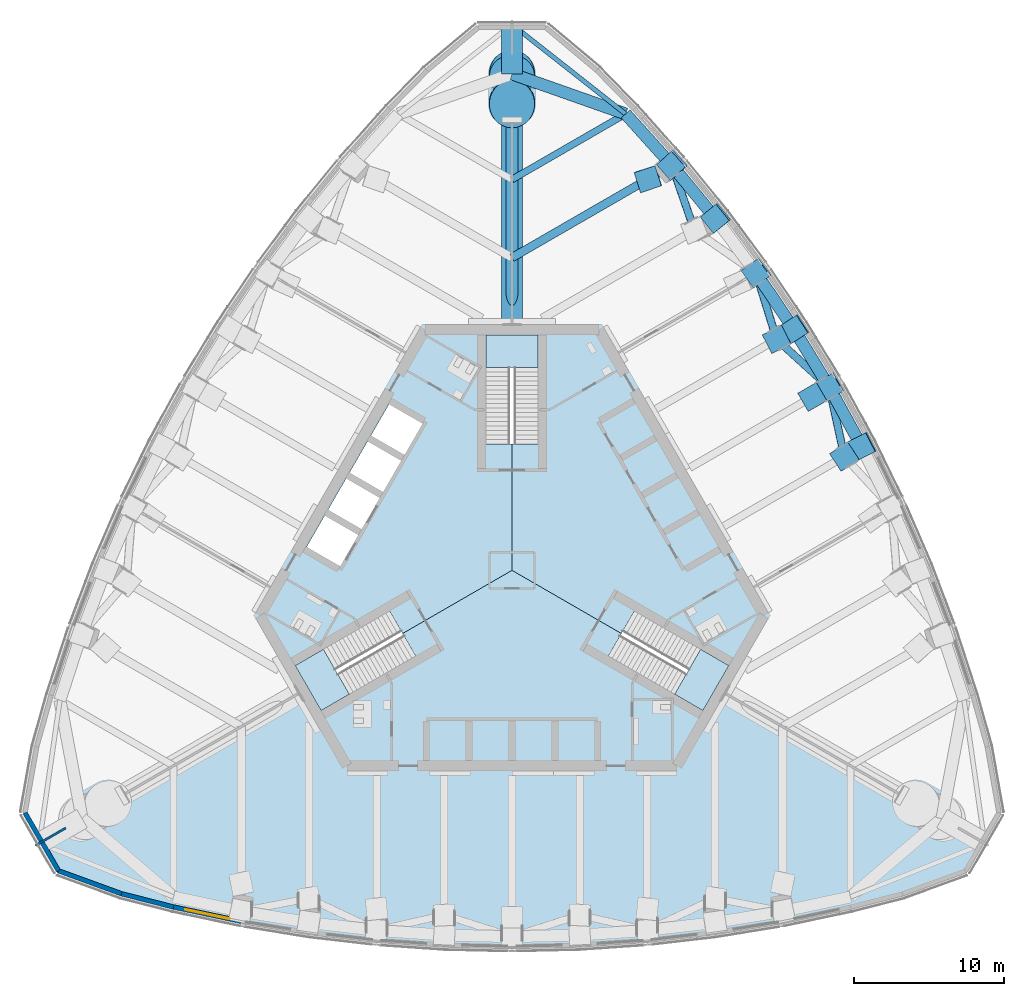
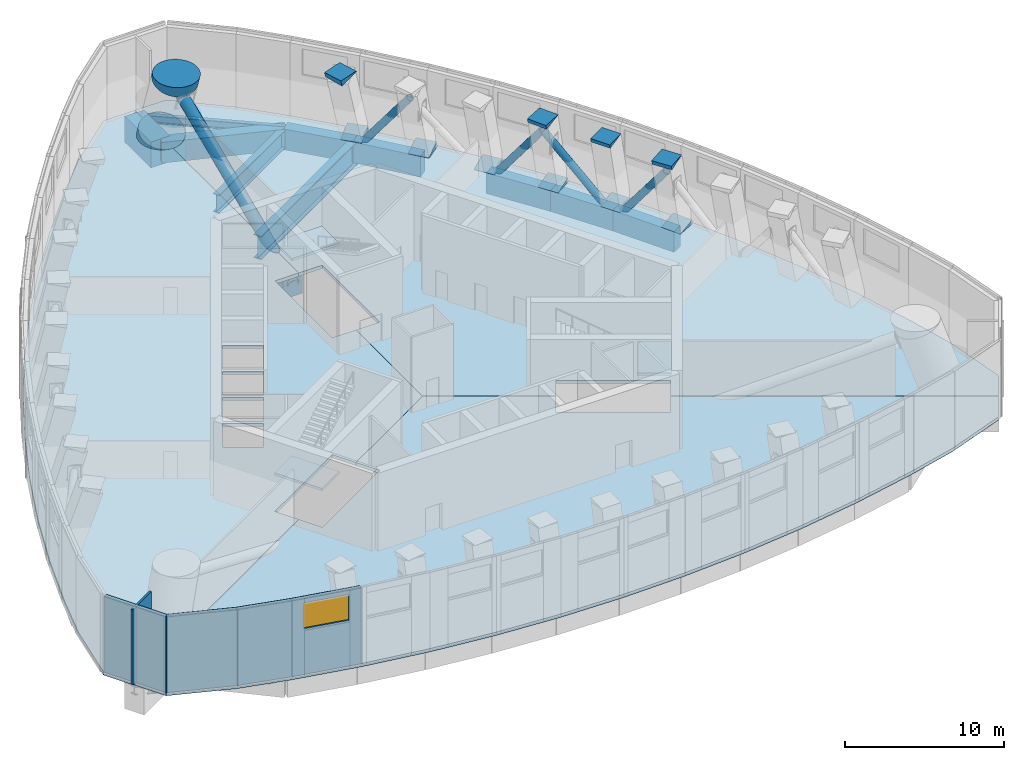
# One storey, part 5 of 22: 17 members, 11 beams, 6 slabs, 5 walls, 1 window, 1 opening, 3 elements without a shape of their own.
"""IFC4 building model written with IfcOpenShell, lengths in metres."""

from ifc_helpers import new_model, si_unit, direction, frame, frame_2d, origin, origin_2d, place, context, subcontext, project, spatial, polyline, rectangle, circle, hollow_circle, i_section, outline, extrude, clip, halfspace, material, layer, layer_set, material_profile, profile_set, type_object, element, fill, aggregate, save


model = new_model("IFC4")

# Units and contexts
model_context = context("Model", 3, precision=1e-05, world=origin(), true_north=direction((0.0, 1.0)))
body_context = subcontext(model_context, "Body", "Model", "MODEL_VIEW")
ifc_project = project(units=[si_unit("LENGTHUNIT", "METRE"), si_unit("AREAUNIT", "SQUARE_METRE"), si_unit("VOLUMEUNIT", "CUBIC_METRE"), si_unit("PLANEANGLEUNIT", "RADIAN"), si_unit("MASSUNIT", "GRAM", prefix="KILO")], contexts=[model_context])

# Site, building, storey
site_placement = place(None, origin())
site = spatial("IfcSite", under=ifc_project, at=site_placement, CompositionType="ELEMENT")
building_placement = place(site_placement, origin())
building = spatial("IfcBuilding", under=site, at=building_placement, Name="Trefoil Bronze Tower", CompositionType="ELEMENT")
storey_placement = place(building_placement, frame((0.0, 0.0, 265.300048828125)))
storey = spatial("IfcBuildingStorey", under=building, at=storey_placement, Name="L61", CompositionType="ELEMENT", Elevation=265.300048828125)

# Members
ifc_material_1 = material(Name="Steel C355", Category="steel")
ifc_material_profile_1 = material_profile(ifc_material_1, hollow_circle(Radius=0.25390625, WallThickness=0.02001953125, at=origin_2d()), Name="CHS 508x20")
ifc_profile_set_1 = profile_set([ifc_material_profile_1], Name="Steel C355")
member_type_1 = type_object("IfcMemberType", Name="Belt truss diagonal CHS 508x20", PredefinedType="BRACE", material=ifc_profile_set_1)
for number, where, z_axis, x_axis, name in (
    (1, (21.08837890625, 12.17529296875, -1.050048828125), (0.131012143103, -0.601307250634, 0.788203913143), (0.977077368956, 0.21288451112, 0.0), "Belt truss diagonal F2.4 L61"),
    (2, (21.08837890625, 12.17529296875, -1.050048828125), (-0.455246541838, 0.414120727641, 0.788197062341), (-0.672904279317, -0.739729566042, 0.0), "Belt truss diagonal F2.5 L61"),
):
    element("IfcMember", number, at=place(storey_placement, frame(where, z_axis=z_axis, x_axis=x_axis)), inside=storey, type_object=member_type_1, Name=name, PredefinedType="BRACE", context=body_context, shape_type="SweptSolid", body=[
        extrude(hollow_circle(Radius=0.25390625, WallThickness=0.02001953125, at=origin_2d()), origin(), (0.0, 0.0, 1.0), 7.67578125),
    ])
member_1_placement = place(storey_placement, frame((16.2265625, 19.7607421875, -1.050048828125), z_axis=(0.179719504995, -0.579171052518, 0.795148911493), x_axis=(0.95507498271, 0.296364264718, 0.0)))
element("IfcMember", 3, at=member_1_placement, inside=storey, type_object=member_type_1, Name="Belt truss diagonal F2.6 L61", PredefinedType="BRACE", context=body_context, shape_type="SweptSolid", body=[
    extrude(hollow_circle(Radius=0.25390625, WallThickness=0.02001953125, at=origin_2d()), origin(), (0.0, 0.0, 1.0), 7.608642578125),
])
member_2_placement = place(storey_placement, frame((10.632080078125, 26.923095703125, -1.050048828125), z_axis=(0.197572328116, -0.570553628102, 0.797140974121), x_axis=(0.944948696963, 0.327218520423, 0.0)))
element("IfcMember", 4, at=member_2_placement, inside=storey, type_object=member_type_1, Name="Belt truss diagonal F2.8 L61", PredefinedType="BRACE", context=body_context, shape_type="SweptSolid", body=[
    extrude(hollow_circle(Radius=0.25390625, WallThickness=0.02001953125, at=origin_2d()), origin(), (0.0, 0.0, 1.0), 7.589599609375),
])
ifc_material_2 = material(Name="Concrete B80", Category="concrete")
ifc_material_profile_2 = material_profile(ifc_material_2, rectangle(XDim=1.39990234375, YDim=1.39990234375, at=origin_2d()), Name="RC 1400x1400")
ifc_profile_set_2 = profile_set([ifc_material_profile_2], Name="Concrete B80")
member_type_2 = type_object("IfcMemberType", Name="Column node RC 1400x1400", PredefinedType="MEMBER", material=ifc_profile_set_2)
member_3_placement = place(storey_placement, frame((21.1162109375, 12.19140625, -0.149169921875), z_axis=(-0.183161964872, -0.105578075822, 0.977397035257), x_axis=(-0.499394896141, 0.866374478911, 0.0)))
element("IfcMember", 5, at=member_3_placement, inside=storey, type_object=member_type_2, Name="Column node TC1414 L61 bottom", PredefinedType="MEMBER", context=body_context, shape_type="Clipping", body=[
    clip(extrude(rectangle(XDim=1.39990234375, YDim=1.39990234375, at=origin_2d()), origin(), (0.0, 0.0, 1.0), 0.30517578125), halfspace(frame((0.0, 0.0, 0.152587890625), z_axis=(2.5890503410063688e-17, -0.21141200408223554, 0.9773970352573886), x_axis=(0.0, 0.9773970352573886, 0.21141200408223554)), True)),
])
member_4_placement = place(storey_placement, frame((19.935302734375, 11.509765625, 6.149169921875), z_axis=(0.183161964872, 0.105578075822, -0.977397035257), x_axis=(0.499394896141, -0.866374478911, 0.0)))
element("IfcMember", 6, at=member_4_placement, inside=storey, type_object=member_type_2, Name="Column node TC1414 L61 top", PredefinedType="MEMBER", context=body_context, shape_type="Clipping", body=[
    clip(extrude(rectangle(XDim=1.39990234375, YDim=1.39990234375, at=origin_2d()), origin(), (0.0, 0.0, 1.0), 0.30517578125), halfspace(frame((0.0, 0.0, 0.152587890625), z_axis=(-2.5890503410063688e-17, 0.2114120040822355, 0.9773970352573886), x_axis=(0.0, 0.9773970352573886, -0.2114120040822355)), True)),
])
member_5_placement = place(storey_placement, frame((18.77880859375, 16.0380859375, -0.160400390625), z_axis=(-0.187953705377, -0.108463403103, 0.976170627925), x_axis=(-0.54310473466, 0.839589154073, -0.011282710331)))
element("IfcMember", 7, at=member_5_placement, inside=storey, type_object=member_type_2, Name="Column node TC1414 L61 bottom", PredefinedType="MEMBER", context=body_context, shape_type="Clipping", body=[
    clip(extrude(rectangle(XDim=1.39990234375, YDim=1.39990234375, at=origin_2d()), origin(), (0.0, 0.0, 1.0), 0.32861328125), halfspace(frame((0.0, 0.0, 0.164306640625), z_axis=(-0.01128271033060312, -0.21671088026453342, 0.9761706279245278), x_axis=(0.0, 0.976232766899291, 0.21672467518064178)), True)),
])
member_6_placement = place(storey_placement, frame((17.563232421875, 15.336181640625, 6.160400390625), z_axis=(0.187236899546, 0.108478521165, -0.976306690489), x_axis=(0.456706853396, -0.889546102604, -0.011250840125)))
element("IfcMember", 8, at=member_6_placement, inside=storey, type_object=member_type_2, Name="Column node TC1414 L61 top", PredefinedType="MEMBER", context=body_context, shape_type="Clipping", body=[
    clip(extrude(rectangle(XDim=1.39990234375, YDim=1.39990234375, at=origin_2d()), origin(), (0.0, 0.0, 1.0), 0.32861328125), halfspace(frame((0.0, 0.0, 0.164306640625), z_axis=(0.011250840125173118, 0.2160987383172024, 0.9763066904893108), x_axis=(0.0, 0.9763684874917113, -0.21611241665658143)), True)),
])
member_7_placement = place(storey_placement, frame((16.263671875, 19.7822265625, -0.1796875), z_axis=(-0.200881135237, -0.116299604611, 0.9726876022), x_axis=(-0.585578405477, 0.810258751499, -0.02405590693)))
element("IfcMember", 9, at=member_7_placement, inside=storey, type_object=member_type_2, Name="Column node TC1414 L61 bottom", PredefinedType="MEMBER", context=body_context, shape_type="Clipping", body=[
    clip(extrude(rectangle(XDim=1.39990234375, YDim=1.39990234375, at=origin_2d()), origin(), (0.0, 0.0, 1.0), 0.369384765625), halfspace(frame((0.0, 0.0, 0.1845703125), z_axis=(-0.02405590693003195, -0.23086823486241995, 0.9726876021998452), x_axis=(0.0, 0.972969165077258, 0.2309350640523511)), True)),
])
member_8_placement = place(storey_placement, frame((13.5703125, 23.42333984375, -0.207763671875), z_axis=(-0.22363186547, -0.129411333318, 0.966044251344), x_axis=(-0.624037309849, 0.780374112992, -0.039920917931)))
element("IfcMember", 10, at=member_8_placement, inside=storey, type_object=member_type_2, Name="Column node TC1414 L61 bottom", PredefinedType="MEMBER", context=body_context, shape_type="Clipping", body=[
    clip(extrude(rectangle(XDim=1.39990234375, YDim=1.39990234375, at=origin_2d()), origin(), (0.0, 0.0, 1.0), 0.43017578125), halfspace(frame((0.0, 0.0, 0.215087890625), z_axis=(-0.03992091793084701, -0.25527401896023777, 0.9660442513443402), x_axis=(0.0, 0.9668149552088507, 0.25547767492387297)), True)),
])
member_9_placement = place(storey_placement, frame((10.697509765625, 26.9609375, -0.245361328125), z_axis=(-0.255275023325, -0.147840842186, 0.955498690657), x_axis=(-0.659385563875, 0.749389731889, -0.060213851335)))
element("IfcMember", 11, at=member_9_placement, inside=storey, type_object=member_type_2, Name="Column node TC1414 L61 bottom", PredefinedType="MEMBER", context=body_context, shape_type="Clipping", body=[
    clip(extrude(rectangle(XDim=1.39990234375, YDim=1.39990234375, at=origin_2d()), origin(), (0.0, 0.0, 1.0), 0.513671875), halfspace(frame((0.0, 0.0, 0.2568359375), z_axis=(-0.060213851335041084, -0.2887845983761713, 0.9554986906574572), x_axis=(0.0, 0.9572355947894147, 0.28930955059962243)), True)),
])
member_10_placement = place(storey_placement, frame((8.961669921875, 25.958740234375, 6.245361328125), z_axis=(0.25573727753, 0.147357910844, -0.95544967999), x_axis=(0.319766783244, -0.945578973068, -0.060246244908)))
element("IfcMember", 12, at=member_10_placement, inside=storey, type_object=member_type_2, Name="Column node TC1414 L61 top", PredefinedType="MEMBER", context=body_context, shape_type="Clipping", body=[
    clip(extrude(rectangle(XDim=1.39990234375, YDim=1.39990234375, at=origin_2d()), origin(), (0.0, 0.0, 1.0), 0.513671875), halfspace(frame((0.0, 0.0, 0.2568359375), z_axis=(0.06024624490829453, 0.288939957397967, 0.9554496799901662), x_axis=(0.0, 0.9571883693663649, -0.2894657588554465)), True)),
])
member_11_placement = place(storey_placement, frame((23.27880859375, 8.243896484375, -0.160400390625), z_axis=(-0.187953705377, -0.108463403103, 0.976170627925), x_axis=(-0.455185677228, 0.890325052829, 0.011282710331)))
element("IfcMember", 13, at=member_11_placement, inside=storey, type_object=member_type_2, Name="Column node TC1414 L61 bottom", PredefinedType="MEMBER", context=body_context, shape_type="Clipping", body=[
    clip(extrude(rectangle(XDim=1.39990234375, YDim=1.39990234375, at=origin_2d()), origin(), (0.0, 0.0, 1.0), 0.32861328125), halfspace(frame((0.0, 0.0, 0.164306640625), z_axis=(0.01128271033060312, -0.2167108802645334, 0.9761706279245278), x_axis=(0.0, 0.976232766899291, 0.21672467518064176)), True)),
])
member_12_placement = place(storey_placement, frame((22.063232421875, 7.5419921875, 6.160400390625), z_axis=(0.187236899546, 0.108478521165, -0.976306690489), x_axis=(0.544550951226, -0.838652299893, 0.011250840125)))
element("IfcMember", 14, at=member_12_placement, inside=storey, type_object=member_type_2, Name="Column node TC1414 L61 top", PredefinedType="MEMBER", context=body_context, shape_type="Clipping", body=[
    clip(extrude(rectangle(XDim=1.39990234375, YDim=1.39990234375, at=origin_2d()), origin(), (0.0, 0.0, 1.0), 0.32861328125), halfspace(frame((0.0, 0.0, 0.164306640625), z_axis=(-0.011250840125173118, 0.2160987383172024, 0.9763066904893108), x_axis=(0.0, 0.9763684874917113, -0.21611241665658143)), True)),
])
ifc_material_3 = material(Name="Concrete B80", Category="concrete")
ifc_material_profile_3 = material_profile(ifc_material_3, circle(Radius=1.5, at=origin_2d()), Name="RC D3000")
ifc_profile_set_3 = profile_set([ifc_material_profile_3], Name="Concrete B80")
member_type_3 = type_object("IfcMemberType", Name="Column node RC D3000", PredefinedType="MEMBER", material=ifc_profile_set_3)
member_13_placement = place(storey_placement, frame((0.0, 33.158447265625, -0.475341796875), z_axis=(0.0, -0.316227766017, 0.948683298051), x_axis=(1.0, 0.0, 0.0)))
element("IfcMember", 15, at=member_13_placement, inside=storey, type_object=member_type_3, Name="Column node MC30 L61 bottom", PredefinedType="MEMBER", context=body_context, shape_type="Clipping", body=[
    clip(extrude(circle(Radius=1.5, at=origin_2d()), origin(), (0.0, 0.0, 1.0), 1.002197265625), halfspace(frame((0.0, 0.0, 0.5009765625), z_axis=(0.0, 0.316227766016838, 0.9486832980505139), x_axis=(0.0, 0.9486832980505139, -0.316227766016838)), True)),
])
member_14_placement = place(storey_placement, frame((0.0, 30.841552734375, 6.475341796875), z_axis=(0.0, 0.316227766017, -0.948683298051), x_axis=(-1.0, 0.0, 0.0)))
element("IfcMember", 16, at=member_14_placement, inside=storey, type_object=member_type_3, Name="Column node MC30 L61 top", PredefinedType="MEMBER", context=body_context, shape_type="Clipping", body=[
    clip(extrude(circle(Radius=1.5, at=origin_2d()), origin(), (0.0, 0.0, 1.0), 1.002197265625), halfspace(frame((0.0, 0.0, 0.501220703125), z_axis=(0.0, -0.316227766016838, 0.9486832980505139), x_axis=(0.0, 0.9486832980505139, 0.316227766016838)), True)),
])

# Beams
ifc_material_4 = material(Name="Concrete B80", Category="concrete")
ifc_material_profile_4 = material_profile(ifc_material_4, rectangle(XDim=1.39990234375, YDim=2.0, at=origin_2d()), Name="RC 1400x2000")
ifc_profile_set_4 = profile_set([ifc_material_profile_4], Name="Concrete B80")
beam_type_1 = type_object("IfcBeamType", Name="Corner cantilever RC 1400x2000", PredefinedType="BEAM", material=ifc_profile_set_4)
beam_1_placement = place(storey_placement, frame((0.0, 33.0, -1.25), z_axis=(0.0, 1.0, 0.0), x_axis=(-1.0, 0.0, 0.0)))
element("IfcBeam", 17, at=beam_1_placement, inside=storey, type_object=beam_type_1, Name="Corner cantilever K2 L61", PredefinedType="BEAM", context=body_context, shape_type="SweptSolid", body=[
    extrude(rectangle(XDim=1.39990234375, YDim=2.0, at=origin_2d()), origin(), (0.0, 0.0, 1.0), 3.28466796875),
])
ifc_material_5 = material(Name="Steel C355", Category="steel")
ifc_material_profile_5 = material_profile(ifc_material_5, i_section(OverallWidth=0.300048828125, OverallDepth=0.60009765625, WebThickness=0.015380859375, FlangeThickness=0.030029296875, FilletRadius=0.027099609375, at=origin_2d()), Name="HEB 600")
ifc_profile_set_5 = profile_set([ifc_material_profile_5], Name="Steel C355")
beam_type_2 = type_object("IfcBeamType", Name="Corner edge beam HEB 600", PredefinedType="BEAM", material=ifc_profile_set_5)
beam_2_placement = place(storey_placement, frame((7.552001953125, 30.3408203125, -0.550048828125), z_axis=(-0.785805912008, 0.618473175371, 0.0), x_axis=(-0.618473175371, -0.785805912008, 0.0)))
element("IfcBeam", 18, at=beam_2_placement, inside=storey, type_object=beam_type_2, Name="Corner edge beam F2A L61", PredefinedType="BEAM", context=body_context, shape_type="SweptSolid", body=[
    extrude(i_section(OverallWidth=0.300048828125, OverallDepth=0.60009765625, WebThickness=0.015380859375, FlangeThickness=0.030029296875, FilletRadius=0.027099609375, at=origin_2d()), origin(), (0.0, 0.0, 1.0), 9.610595703125),
])
ifc_material_6 = material(Name="Concrete B80", Category="concrete")
ifc_material_profile_6 = material_profile(ifc_material_6, rectangle(XDim=1.39990234375, YDim=2.0, at=origin_2d()), Name="RC 1400x2000")
ifc_profile_set_6 = profile_set([ifc_material_profile_6], Name="Concrete B80")
beam_type_3 = type_object("IfcBeamType", Name="Corner girder RC 1400x2000", PredefinedType="BEAM", material=ifc_profile_set_6)
beam_3_placement = place(storey_placement, frame((0.0, 16.35009765625, -1.25), z_axis=(0.0, 1.0, 0.0), x_axis=(-1.0, 0.0, 0.0)))
element("IfcBeam", 19, at=beam_3_placement, inside=storey, type_object=beam_type_3, Name="Corner girder K2 L61", PredefinedType="BEAM", context=body_context, shape_type="SweptSolid", body=[
    extrude(rectangle(XDim=1.39990234375, YDim=2.0, at=origin_2d()), origin(), (0.0, 0.0, 1.0), 16.64990234375),
])
ifc_material_7 = material(Name="Concrete B80", Category="concrete")
ifc_material_profile_7 = material_profile(ifc_material_7, rectangle(XDim=0.800048828125, YDim=1.60009765625, at=origin_2d()), Name="RC 800x1600")
ifc_profile_set_7 = profile_set([ifc_material_profile_7], Name="Concrete B80")
beam_type_4 = type_object("IfcBeamType", Name="End spandrel beam RC 800x1600", PredefinedType="SPANDREL", material=ifc_profile_set_7)
beam_4_placement = place(storey_placement, frame((7.552001953125, 30.3408203125, -1.050048828125), z_axis=(-0.943234397359, 0.332127794137, 0.0), x_axis=(-0.332127794137, -0.943234397359, 0.0)))
element("IfcBeam", 20, at=beam_4_placement, inside=storey, type_object=beam_type_4, Name="Spandrel F2.12 L61", PredefinedType="SPANDREL", context=body_context, shape_type="SweptSolid", body=[
    extrude(rectangle(XDim=0.800048828125, YDim=1.60009765625, at=origin_2d()), origin(), (0.0, 0.0, 1.0), 8.006591796875),
])
ifc_material_8 = material(Name="Steel C355", Category="steel")
ifc_material_profile_8 = material_profile(ifc_material_8, i_section(OverallWidth=0.449951171875, OverallDepth=1.39990234375, WebThickness=0.02294921875, FlangeThickness=0.044921875, FilletRadius=0.011962890625, at=origin_2d()), Name="WPG 1400")
ifc_profile_set_8 = profile_set([ifc_material_profile_8], Name="Steel C355")
beam_type_5 = type_object("IfcBeamType", Name="Floor beam WPG 1400", PredefinedType="BEAM", material=ifc_profile_set_8)
beam_5_placement = place(storey_placement, frame((7.552001953125, 30.3408203125, -0.949951171875), z_axis=(-0.866027535932, -0.499996306993, 0.0), x_axis=(0.499996306993, -0.866027535932, 0.0)))
element("IfcBeam", 21, at=beam_5_placement, inside=storey, type_object=beam_type_5, Name="Floor beam F2/+5 L61", PredefinedType="BEAM", context=body_context, shape_type="SweptSolid", body=[
    extrude(i_section(OverallWidth=0.449951171875, OverallDepth=1.39990234375, WebThickness=0.02294921875, FlangeThickness=0.044921875, FilletRadius=0.011962890625, at=origin_2d()), origin(), (0.0, 0.0, 1.0), 8.72021484375),
])
ifc_material_9 = material(Name="Steel C355", Category="steel")
ifc_material_profile_9 = material_profile(ifc_material_9, i_section(OverallWidth=0.550048828125, OverallDepth=1.800048828125, WebThickness=0.029052734375, FlangeThickness=0.054931640625, FilletRadius=0.013916015625, at=origin_2d()), Name="WPG 1800")
ifc_profile_set_9 = profile_set([ifc_material_profile_9], Name="Steel C355")
beam_type_6 = type_object("IfcBeamType", Name="Floor beam WPG 1800", PredefinedType="BEAM", material=ifc_profile_set_9)
beam_6_placement = place(storey_placement, frame((10.632080078125, 26.923095703125, -1.150146484375), z_axis=(-0.866025635187, -0.499999599199, 0.0), x_axis=(0.499999599199, -0.866025635187, 0.0)))
element("IfcBeam", 22, at=beam_6_placement, inside=storey, type_object=beam_type_6, Name="Floor beam F2/+4 L61", PredefinedType="BEAM", context=body_context, shape_type="SweptSolid", body=[
    extrude(i_section(OverallWidth=0.550048828125, OverallDepth=1.800048828125, WebThickness=0.029052734375, FlangeThickness=0.054931640625, FilletRadius=0.013916015625, at=origin_2d()), origin(), (0.0, 0.0, 1.0), 12.27685546875),
])

# Member
ifc_material_10 = material(Name="Steel C355", Category="steel")
ifc_material_profile_10 = material_profile(ifc_material_10, hollow_circle(Radius=0.406494140625, WallThickness=0.030029296875, at=origin_2d()), Name="CHS 813x30")
ifc_profile_set_10 = profile_set([ifc_material_profile_10], Name="Steel C355")
member_type_4 = type_object("IfcMemberType", Name="Outrigger brace CHS 813x30", PredefinedType="BRACE", material=ifc_profile_set_10)
member_15_placement = place(storey_placement, frame((0.0, 16.300048828125, -1.25), z_axis=(0.0, 0.919143450834, 0.393922983322), x_axis=(-1.0, 0.0, 0.0)))
element("IfcMember", 23, at=member_15_placement, inside=storey, type_object=member_type_4, Name="Outrigger brace K2 L61", PredefinedType="BRACE", context=body_context, shape_type="SweptSolid", body=[
    extrude(hollow_circle(Radius=0.406494140625, WallThickness=0.030029296875, at=origin_2d()), origin(), (0.0, 0.0, 1.0), 15.9931640625),
])

# Beams
ifc_material_11 = material(Name="Concrete B80", Category="concrete")
ifc_material_profile_11 = material_profile(ifc_material_11, rectangle(XDim=0.800048828125, YDim=1.60009765625, at=origin_2d()), Name="RC 800x1600")
ifc_profile_set_11 = profile_set([ifc_material_profile_11], Name="Concrete B80")
beam_type_7 = type_object("IfcBeamType", Name="Spandrel beam RC 800x1600", PredefinedType="SPANDREL", material=ifc_profile_set_11)
for number, where, z_axis, x_axis, name in (
    (24, (23.248046875, 8.22607421875, -1.050048828125), (-0.479801903802, 0.87737684783, 0.0), (-0.87737684783, -0.479801903802, 0.0), "Spandrel F2.6 L61"),
    (25, (21.08837890625, 12.17529296875, -1.050048828125), (-0.519933181394, 0.854206934464, 0.0), (-0.854206934464, -0.519933181394, 0.0), "Spandrel F2.7 L61"),
):
    element("IfcBeam", number, at=place(storey_placement, frame(where, z_axis=z_axis, x_axis=x_axis)), inside=storey, type_object=beam_type_7, Name=name, PredefinedType="SPANDREL", context=body_context, shape_type="SweptSolid", body=[
        extrude(rectangle(XDim=0.800048828125, YDim=1.60009765625, at=origin_2d()), origin(), (0.0, 0.0, 1.0), 4.501220703125),
    ])
beam_7_placement = place(storey_placement, frame((18.748046875, 16.020263671875, -1.050048828125), z_axis=(-0.558964302753, 0.829191719838, 0.0), x_axis=(-0.829191719838, -0.558964302753, 0.0)))
element("IfcBeam", 26, at=beam_7_placement, inside=storey, type_object=beam_type_7, Name="Spandrel F2.8 L61", PredefinedType="SPANDREL", context=body_context, shape_type="SweptSolid", body=[
    extrude(rectangle(XDim=0.800048828125, YDim=1.60009765625, at=origin_2d()), origin(), (0.0, 0.0, 1.0), 4.510986328125),
])
beam_8_placement = place(storey_placement, frame((13.522216796875, 23.3955078125, -1.050048828125), z_axis=(-0.633753657863, 0.773534938542, 0.0), x_axis=(-0.773534938542, -0.633753657863, 0.0)))
element("IfcBeam", 27, at=beam_8_placement, inside=storey, type_object=beam_type_7, Name="Spandrel F2.10 L61", PredefinedType="SPANDREL", context=body_context, shape_type="SweptSolid", body=[
    extrude(rectangle(XDim=0.800048828125, YDim=1.60009765625, at=origin_2d()), origin(), (0.0, 0.0, 1.0), 4.560302734375),
])
beam_9_placement = place(storey_placement, frame((10.632080078125, 26.923095703125, -1.050048828125), z_axis=(-0.669460045872, 0.742848064534, 0.0), x_axis=(-0.742848064534, -0.669460045872, 0.0)))
element("IfcBeam", 28, at=beam_9_placement, inside=storey, type_object=beam_type_7, Name="Spandrel F2.11 L61", PredefinedType="SPANDREL", context=body_context, shape_type="SweptSolid", body=[
    extrude(rectangle(XDim=0.800048828125, YDim=1.60009765625, at=origin_2d()), origin(), (0.0, 0.0, 1.0), 4.600830078125),
])

# Slabs
ifc_material_12 = material(Name="Concrete B30", Category="concrete")
ifc_layer_1 = layer(ifc_material_12, 0.25)
ifc_layer_set_1 = layer_set([ifc_layer_1], Name="Floor slab 250")
slab_type_1 = type_object("IfcSlabType", Name="Floor slab 250", PredefinedType="FLOOR", material=ifc_layer_set_1)
slab_1_placement = place(storey_placement, frame((0.0, 0.0, -0.25)))
element("IfcSlab", 29, at=slab_1_placement, inside=storey, type_object=slab_type_1, Name="Floor slab L61 face 1", PredefinedType="FLOOR", context=body_context, shape_type="SweptSolid", body=[
    extrude(outline(polyline([(18.0, -23.48291015625), (13.5, -24.216064453125), (9.0, -24.736328125), (4.5, -25.047119140625), (0.0, -25.150634765625), (-4.5, -25.047119140625), (-9.0, -24.736328125), (-13.5, -24.216064453125), (-18.0, -23.48291015625), (-22.5, -22.531982421875), (-25.952880859375, -21.650634765625), (-30.23828125, -20.0908203125), (-31.37841796875, -18.1162109375), (-13.510009765625, -7.800048828125), (-12.6474609375, -9.2939453125), (-6.412109375, -5.69384765625), (-7.274658203125, -4.199951171875), (0.0, 0.0), (7.274658203125, -4.199951171875), (6.412109375, -5.69384765625), (12.6474609375, -9.2939453125), (13.510009765625, -7.800048828125), (31.37841796875, -18.1162109375), (30.23828125, -20.0908203125), (25.952880859375, -21.650634765625), (22.5, -22.531982421875), (18.0, -23.48291015625)])), origin(), (0.0, 0.0, 1.0), 0.25),
])
slab_2_placement = place(storey_placement, frame((0.0, 0.0, -0.25)))
element("IfcSlab", 30, at=slab_2_placement, inside=storey, type_object=slab_type_1, Name="Floor slab L61 face 2", PredefinedType="FLOOR", context=body_context, shape_type="SweptSolid", body=[
    extrude(outline(polyline([(11.3369140625, 27.329833984375), (14.2216796875, 23.79931640625), (16.92236328125, 20.162353515625), (19.441650390625, 16.420654296875), (21.781005859375, 12.575439453125), (23.941650390625, 8.62646484375), (25.92236328125, 4.573974609375), (27.7216796875, 0.416748046875), (29.3369140625, -3.846923828125), (30.76318359375, -8.219482421875), (31.7265625, -11.650634765625), (32.518310546875, -16.1416015625), (31.37841796875, -18.1162109375), (13.510009765625, -7.800048828125), (14.37255859375, -6.30615234375), (8.13720703125, -2.7060546875), (7.274658203125, -4.199951171875), (0.0, 0.0), (0.0, 8.39990234375), (1.72509765625, 8.39990234375), (1.72509765625, 15.60009765625), (0.0, 15.60009765625), (0.0, 36.232666015625), (2.280029296875, 36.232666015625), (5.7734375, 33.30126953125), (8.26318359375, 30.75146484375), (11.3369140625, 27.329833984375)])), origin(), (0.0, 0.0, 1.0), 0.25),
])
slab_3_placement = place(storey_placement, frame((0.0, 0.0, -0.25)))
element("IfcSlab", 31, at=slab_3_placement, inside=storey, type_object=slab_type_1, Name="Floor slab L61 face 3", PredefinedType="FLOOR", context=body_context, shape_type="SweptSolid", body=[
    extrude(outline(polyline([(-29.3369140625, -3.846923828125), (-27.7216796875, 0.416748046875), (-25.92236328125, 4.573974609375), (-23.941650390625, 8.62646484375), (-21.781005859375, 12.575439453125), (-19.441650390625, 16.420654296875), (-16.92236328125, 20.162353515625), (-14.2216796875, 23.79931640625), (-11.3369140625, 27.329833984375), (-8.26318359375, 30.75146484375), (-5.7734375, 33.30126953125), (-2.280029296875, 36.232666015625), (0.0, 36.232666015625), (0.0, 15.60009765625), (-1.72509765625, 15.60009765625), (-1.72509765625, 8.39990234375), (0.0, 8.39990234375), (0.0, 0.0), (-7.274658203125, -4.199951171875), (-8.13720703125, -2.7060546875), (-14.37255859375, -6.30615234375), (-13.510009765625, -7.800048828125), (-31.37841796875, -18.1162109375), (-32.518310546875, -16.1416015625), (-31.7265625, -11.650634765625), (-30.76318359375, -8.219482421875), (-29.3369140625, -3.846923828125)]), holes=[polyline([(-5.894287109375, 9.840576171875), (-7.1943359375, 7.5888671875), (-9.42431640625, 8.87646484375), (-8.12451171875, 11.128173828125), (-5.894287109375, 9.840576171875)]), polyline([(-7.3193359375, 7.372314453125), (-8.619384765625, 5.120849609375), (-10.849365234375, 6.408203125), (-9.54931640625, 8.659912109375), (-7.3193359375, 7.372314453125)]), polyline([(-8.744384765625, 4.904296875), (-10.04443359375, 2.652587890625), (-12.2744140625, 3.940185546875), (-10.974365234375, 6.191650390625), (-8.744384765625, 4.904296875)]), polyline([(-10.16943359375, 2.43603515625), (-11.469482421875, 0.184326171875), (-13.699462890625, 1.471923828125), (-12.3994140625, 3.7236328125), (-10.16943359375, 2.43603515625)])]), origin(), (0.0, 0.0, 1.0), 0.25),
])

# Stair, slab
ifc_material_13 = material(Name="Precast concrete B80", Category="concrete")
stair_type = type_object("IfcStairType", Name="Exit stair 36 risers", PredefinedType="HALF_TURN_STAIR", material=ifc_material_13)
stair_1_placement = place(storey_placement, origin())
stair_1 = element("IfcStair", 32, at=stair_1_placement, inside=storey, type_object=stair_type, Name="Stair ST1 L61", PredefinedType="HALF_TURN_STAIR")
ifc_material_14 = material(Name="Concrete B30", Category="concrete")
ifc_layer_2 = layer(ifc_material_14, 0.199951171875)
ifc_layer_set_2 = layer_set([ifc_layer_2], Name="Stair landing 200")
slab_type_2 = type_object("IfcSlabType", Name="Stair landing 200", PredefinedType="LANDING", material=ifc_layer_set_2)
slab_4_placement = place(storey_placement, frame((0.0, 0.0, 2.800048828125)))
slab_4 = element("IfcSlab", 33, at=slab_4_placement, type_object=slab_type_2, Name="ST1 landing 1", PredefinedType="LANDING", context=body_context, shape_type="SweptSolid", body=[
    extrude(outline(polyline([(10.8115234375, -8.23388671875), (12.69091796875, -9.31884765625), (14.415771484375, -6.3310546875), (12.53662109375, -5.24609375), (10.8115234375, -8.23388671875)])), origin(), (0.0, 0.0, 1.0), 0.199951171875),
])
aggregate(stair_1, [slab_4])

stair_2_placement = place(storey_placement, origin())
stair_2 = element("IfcStair", 34, at=stair_2_placement, inside=storey, type_object=stair_type, Name="Stair ST2 L61", PredefinedType="HALF_TURN_STAIR")
slab_5_placement = place(storey_placement, frame((0.0, 0.0, 2.800048828125)))
slab_5 = element("IfcSlab", 35, at=slab_5_placement, type_object=slab_type_2, Name="ST2 landing 1", PredefinedType="LANDING", context=body_context, shape_type="SweptSolid", body=[
    extrude(outline(polyline([(1.72509765625, 13.47998046875), (1.72509765625, 15.64990234375), (-1.72509765625, 15.64990234375), (-1.72509765625, 13.47998046875), (1.72509765625, 13.47998046875)])), origin(), (0.0, 0.0, 1.0), 0.199951171875),
])
aggregate(stair_2, [slab_5])

stair_3_placement = place(storey_placement, origin())
stair_3 = element("IfcStair", 36, at=stair_3_placement, inside=storey, type_object=stair_type, Name="Stair ST3 L61", PredefinedType="HALF_TURN_STAIR")
slab_6_placement = place(storey_placement, frame((0.0, 0.0, 2.800048828125)))
slab_6 = element("IfcSlab", 37, at=slab_6_placement, type_object=slab_type_2, Name="ST3 landing 1", PredefinedType="LANDING", context=body_context, shape_type="SweptSolid", body=[
    extrude(outline(polyline([(-12.53662109375, -5.24609375), (-14.415771484375, -6.3310546875), (-12.69091796875, -9.31884765625), (-10.8115234375, -8.23388671875), (-12.53662109375, -5.24609375)])), origin(), (0.0, 0.0, 1.0), 0.199951171875),
])
aggregate(stair_3, [slab_6])

# Wall
ifc_material_15 = material(Name="Concrete B80", Category="concrete")
ifc_layer_3 = layer(ifc_material_15, 0.300048828125)
ifc_layer_set_3 = layer_set([ifc_layer_3], Name="Belt wall 300")
wall_type_1 = type_object("IfcWallType", Name="Belt wall 300", PredefinedType="SOLIDWALL", material=ifc_layer_set_3)
wall_1_placement = place(storey_placement, frame((-25.952880859375, -21.500732421875, 0.0), z_axis=(0.0, 0.0, 1.0), x_axis=(0.968933780572, -0.247320296109, 0.0)))
element("IfcWall", 38, at=wall_1_placement, inside=storey, type_object=wall_type_1, Name="Belt wall T3.1", PredefinedType="SOLIDWALL", context=body_context, shape_type="SweptSolid", body=[
    extrude(rectangle(XDim=3.5634765625, YDim=0.300048828125, at=frame_2d((1.78173828125, 0.0))), origin(), (0.0, 0.0, 1.0), 5.800048828125),
])

# Wall, opening, window
wall_2_placement = place(storey_placement, frame((-22.5, -22.382080078125, 0.0), z_axis=(0.0, 0.0, 1.0), x_axis=(0.978393499054, -0.206751447418, 0.0)))
wall_2 = element("IfcWall", 39, at=wall_2_placement, inside=storey, type_object=wall_type_1, Name="Belt wall T3.2", PredefinedType="SOLIDWALL", context=body_context, shape_type="SweptSolid", body=[
    extrude(rectangle(XDim=4.599365234375, YDim=0.300048828125, at=frame_2d((2.2998046875, 0.0))), origin(), (0.0, 0.0, 1.0), 5.800048828125),
])
opening_placement = place(wall_2_placement, frame((0.7998046875, 0.0, 3.5)))
opening = element("IfcOpeningElement", 40, at=opening_placement, cuts=wall_2, Name="Opening LV1", PredefinedType="OPENING", context=body_context, shape_type="SweptSolid", body=[
    extrude(rectangle(XDim=3.0, YDim=2.0, at=frame_2d((1.5, 1.0))), frame((0.0, 0.159912109375, 0.0), z_axis=(0.0, -1.0, 0.0), x_axis=(1.0, 0.0, 0.0)), (0.0, 0.0, 1.0), 0.320068359375),
])
ifc_material_16 = material(Name="Bronze-finish aluminium louvre", Category="aluminium")
window_type = type_object("IfcWindowType", Name="Plant louvre 3000", PartitioningType="SINGLE_PANEL", PredefinedType="USERDEFINED", material=ifc_material_16)
window_placement = place(opening_placement, origin())
window = element("IfcWindow", 41, at=window_placement, inside=storey, type_object=window_type, Name="Plant louvre L61 F1.2.1", ObjectType="LOUVRE", OverallHeight=2.0, OverallWidth=3.0, PartitioningType="SINGLE_PANEL", PredefinedType="USERDEFINED", context=body_context, shape_type="SweptSolid", body=[
    extrude(rectangle(XDim=3.0, YDim=2.0, at=frame_2d((1.5, 1.0))), frame((0.0, 0.030029296875, 0.0), z_axis=(0.0, -1.0, 0.0), x_axis=(1.0, 0.0, 0.0)), (0.0, 0.0, 1.0), 0.06005859375),
])
fill(opening, window)

# Walls
for number, where, z_axis, x_axis, name in (
    (42, (-32.37060546875, -16.115478515625, 0.0), (0.0, 0.0, 1.0), (0.499973719246, -0.866040576453, 0.0), "Belt wall T3.44"),
    (43, (-30.141845703125, -19.97607421875, 0.0), (0.0, 0.0, 1.0), (0.939692643308, -0.342020081446, 0.0), "Belt wall T3.45"),
):
    element("IfcWall", number, at=place(storey_placement, frame(where, z_axis=z_axis, x_axis=x_axis)), inside=storey, type_object=wall_type_1, Name=name, PredefinedType="SOLIDWALL", context=body_context, shape_type="SweptSolid", body=[
        extrude(rectangle(XDim=4.457763671875, YDim=0.300048828125, at=frame_2d((2.22900390625, 0.0))), origin(), (0.0, 0.0, 1.0), 5.800048828125),
    ])
ifc_material_17 = material(Name="Gypsum board on steel studs", Category="steel")
ifc_layer_4 = layer(ifc_material_17, 0.14990234375)
ifc_layer_set_4 = layer_set([ifc_layer_4], Name="Party wall 150")
wall_type_2 = type_object("IfcWallType", Name="Party wall 150", PredefinedType="PARTITIONING", material=ifc_layer_set_4)
wall_3_placement = place(storey_placement, frame((-29.661376953125, -17.125, 0.0), z_axis=(0.0, 0.0, 1.0), x_axis=(-0.866027105532, -0.499997052475, 0.0)))
element("IfcWall", 44, at=wall_3_placement, inside=storey, type_object=wall_type_2, Name="Party wall K3 L61", PredefinedType="PARTITIONING", context=body_context, shape_type="SweptSolid", body=[
    extrude(rectangle(XDim=2.33447265625, YDim=0.14990234375, at=frame_2d((1.167236328125, 0.0))), origin(), (0.0, 0.0, 1.0), 5.800048828125),
])

save(model, "model.ifc")
